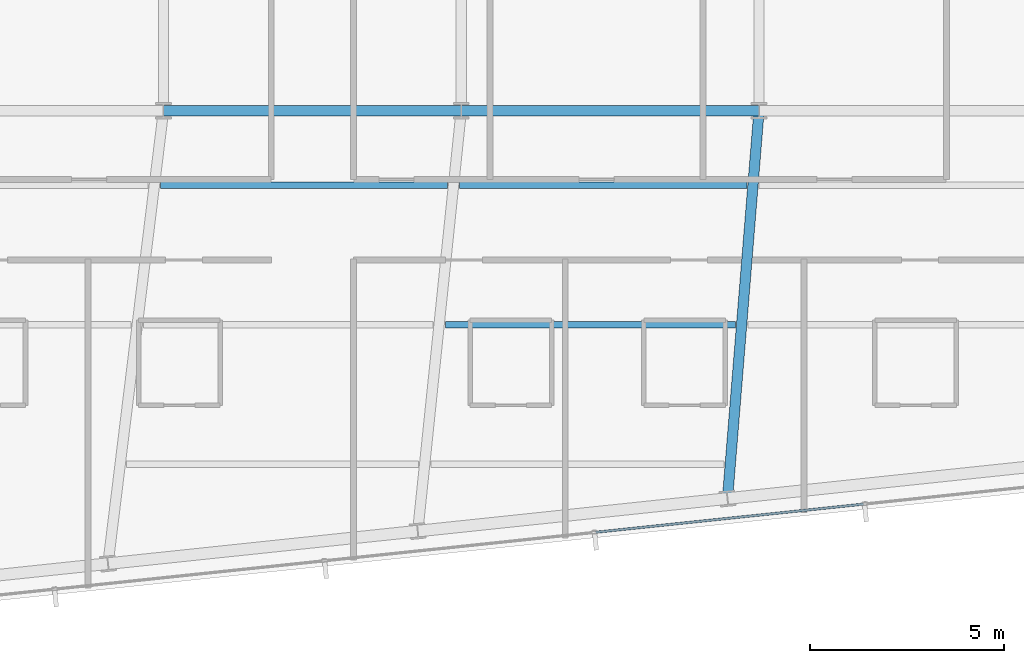
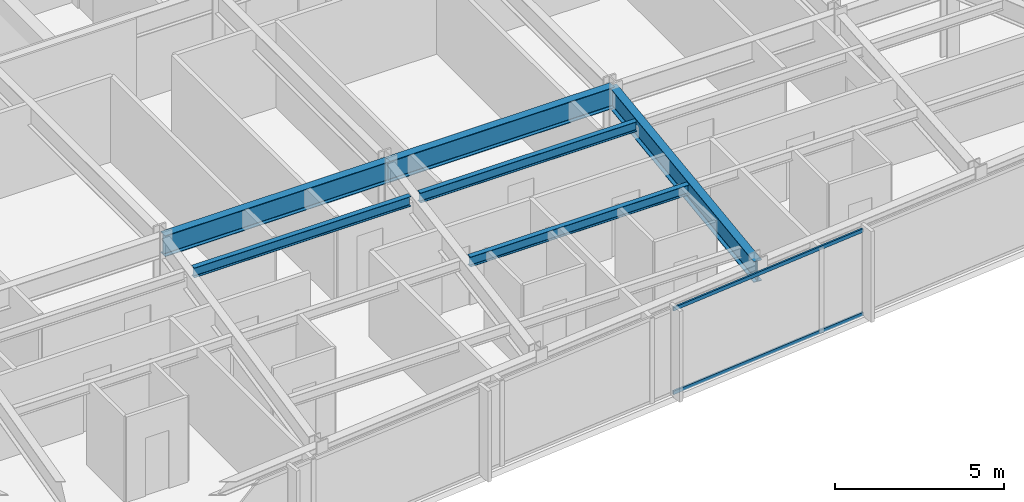
# One storey, part 9 of 33: 6 beams, 2 members, 1 element without a shape of its own.
"""IFC4 building model written with IfcOpenShell, lengths in metres."""

from ifc_helpers import new_model, si_unit, direction, frame, origin, origin_2d, place, context, subcontext, project, spatial, hollow_rectangle, i_section, extrude, material, material_profile, profile_set, type_object, element, aggregate, save


model = new_model("IFC4")

# Units and contexts
model_context = context("Model", 3, precision=1e-05, world=origin(), true_north=direction((0.0, 1.0)))
body_context = subcontext(model_context, "Body", "Model", "MODEL_VIEW")
ifc_project = project(units=[si_unit("LENGTHUNIT", "METRE"), si_unit("AREAUNIT", "SQUARE_METRE"), si_unit("VOLUMEUNIT", "CUBIC_METRE"), si_unit("PLANEANGLEUNIT", "RADIAN"), si_unit("MASSUNIT", "GRAM", prefix="KILO")], contexts=[model_context])

# Site, building, storey
site_placement = place(None, origin())
site = spatial("IfcSite", under=ifc_project, at=site_placement, CompositionType="ELEMENT")
building_placement = place(site_placement, origin())
building = spatial("IfcBuilding", under=site, at=building_placement, Name="Yelkora Congress Tower", CompositionType="ELEMENT")
storey_placement = place(building_placement, frame((0.0, 0.0, 227.60009765625)))
storey = spatial("IfcBuildingStorey", under=building, at=storey_placement, Name="L63", CompositionType="ELEMENT", Elevation=227.60009765625)

# Beams
ifc_material_1 = material(Name="Steel S355J2", Category="steel")
ifc_material_profile_1 = material_profile(ifc_material_1, i_section(OverallWidth=0.26708984375, OverallDepth=0.761962890625, WebThickness=0.014404296875, FlangeThickness=0.021484375, FilletRadius=0.01708984375, at=origin_2d()), Name="IPE 750x173")
ifc_profile_set_1 = profile_set([ifc_material_profile_1], Name="Steel S355J2")
beam_type_1 = type_object("IfcBeamType", Name="BM-GIRD-IPE750", PredefinedType="BEAM", material=ifc_profile_set_1)
beam_1_placement = place(storey_placement, frame((30.719970703125, 25.199951171875, 2.698974609375), z_axis=(1.0, 0.0, 0.0), x_axis=(0.0, 1.0, 0.0)))
element("IfcBeam", 1, at=beam_1_placement, inside=storey, type_object=beam_type_1, Name="L63 Spine Grid D Girder 3", PredefinedType="BEAM", context=body_context, shape_type="SweptSolid", body=[
    extrude(i_section(OverallWidth=0.26708984375, OverallDepth=0.761962890625, WebThickness=0.014404296875, FlangeThickness=0.021484375, FilletRadius=0.01708984375, at=origin_2d()), origin(), (0.0, 0.0, 1.0), 7.679931640625),
])
beam_2_placement = place(storey_placement, frame((38.39990234375, 25.199951171875, 2.698974609375), z_axis=(1.0, 0.0, 0.0), x_axis=(0.0, 1.0, 0.0)))
element("IfcBeam", 2, at=beam_2_placement, inside=storey, type_object=beam_type_1, Name="L63 Spine Grid D Girder 4", PredefinedType="BEAM", context=body_context, shape_type="SweptSolid", body=[
    extrude(i_section(OverallWidth=0.26708984375, OverallDepth=0.761962890625, WebThickness=0.014404296875, FlangeThickness=0.021484375, FilletRadius=0.01708984375, at=origin_2d()), origin(), (0.0, 0.0, 1.0), 7.68017578125),
])
beam_3_placement = place(storey_placement, frame((45.26708984375, 15.197509765625, 2.698974609375), z_axis=(0.081011831965, 0.996713139816, 0.0), x_axis=(-0.996713139816, 0.081011831965, 0.0)))
element("IfcBeam", 3, at=beam_3_placement, inside=storey, type_object=beam_type_1, Name="L63 Primary Frame Girder S04", PredefinedType="BEAM", context=body_context, shape_type="SweptSolid", body=[
    extrude(i_section(OverallWidth=0.26708984375, OverallDepth=0.761962890625, WebThickness=0.014404296875, FlangeThickness=0.021484375, FilletRadius=0.01708984375, at=origin_2d()), origin(), (0.0, 0.0, 1.0), 10.035400390625),
])
ifc_material_profile_2 = material_profile(ifc_material_1, i_section(OverallWidth=0.169921875, OverallDepth=0.360107421875, WebThickness=0.008056640625, FlangeThickness=0.0126953125, FilletRadius=0.01806640625, at=origin_2d()), Name="IPE 360")
ifc_profile_set_2 = profile_set([ifc_material_profile_2], Name="Steel S355J2")
beam_type_2 = type_object("IfcBeamType", Name="BM-JOIST-IPE360", PredefinedType="JOIST", material=ifc_profile_set_2)
beam_4_placement = place(storey_placement, frame((37.988525390625, 19.678466796875, 2.89990234375), z_axis=(1.0, 0.0, 0.0), x_axis=(0.0, 1.0, 0.0)))
element("IfcBeam", 4, at=beam_4_placement, inside=storey, type_object=beam_type_2, Name="L63 Composite Floor Joist 5", PredefinedType="JOIST", context=body_context, shape_type="SweptSolid", body=[
    extrude(i_section(OverallWidth=0.169921875, OverallDepth=0.360107421875, WebThickness=0.008056640625, FlangeThickness=0.0126953125, FilletRadius=0.01806640625, at=origin_2d()), origin(), (0.0, 0.0, 1.0), 7.482666015625),
])
beam_5_placement = place(storey_placement, frame((30.64453125, 23.278564453125, 2.89990234375), z_axis=(1.0, 0.0, 0.0), x_axis=(0.0, 1.0, 0.0)))
element("IfcBeam", 5, at=beam_5_placement, inside=storey, type_object=beam_type_2, Name="L63 Composite Floor Joist 10", PredefinedType="JOIST", context=body_context, shape_type="SweptSolid", body=[
    extrude(i_section(OverallWidth=0.169921875, OverallDepth=0.360107421875, WebThickness=0.008056640625, FlangeThickness=0.0126953125, FilletRadius=0.01806640625, at=origin_2d()), origin(), (0.0, 0.0, 1.0), 7.396484375),
])
beam_6_placement = place(storey_placement, frame((38.361083984375, 23.278564453125, 2.89990234375), z_axis=(1.0, 0.0, 0.0), x_axis=(0.0, 1.0, 0.0)))
element("IfcBeam", 6, at=beam_6_placement, inside=storey, type_object=beam_type_2, Name="L63 Composite Floor Joist 11", PredefinedType="JOIST", context=body_context, shape_type="SweptSolid", body=[
    extrude(i_section(OverallWidth=0.169921875, OverallDepth=0.360107421875, WebThickness=0.008056640625, FlangeThickness=0.0126953125, FilletRadius=0.01806640625, at=origin_2d()), origin(), (0.0, 0.0, 1.0), 7.40283203125),
])

# Curtain wall, members
ifc_material_2 = material(Name="Anodised aluminium and insulated glass", Category="aluminium")
curtain_wall_type = type_object("IfcCurtainWallType", Name="CW-SYS-B4", PredefinedType="NOTDEFINED", material=ifc_material_2)
curtain_wall_placement = place(storey_placement, origin())
curtain_wall = element("IfcCurtainWall", 7, at=curtain_wall_placement, inside=storey, type_object=curtain_wall_type, Name="L63 Unitised Curtain Wall 20", PredefinedType="NOTDEFINED")
ifc_material_3 = material(Name="Anodised aluminium 6063-T6", Category="aluminium")
ifc_material_profile_3 = material_profile(ifc_material_3, hollow_rectangle(XDim=0.06005859375, YDim=0.1298828125, WallThickness=0.00390625, at=origin_2d()), Name="ALU 60x130x4")
ifc_profile_set_3 = profile_set([ifc_material_profile_3], Name="Anodised aluminium 6063-T6")
member_type = type_object("IfcMemberType", Name="MEM-TR-B4", PredefinedType="USERDEFINED", material=ifc_profile_set_3)
member_1_placement = place(storey_placement, frame((48.770263671875, 15.052978515625, 0.02978515625), z_axis=(-0.99452356298, -0.104512595784, 0.0), x_axis=(0.104512595784, -0.99452356298, 0.0)))
member_1 = element("IfcMember", 8, at=member_1_placement, type_object=member_type, Name="CW-B4 transom 4.1", ObjectType="TRANSOM", PredefinedType="USERDEFINED", context=body_context, shape_type="SweptSolid", body=[
    extrude(hollow_rectangle(XDim=0.06005859375, YDim=0.1298828125, WallThickness=0.00390625, at=origin_2d()), origin(), (0.0, 0.0, 1.0), 6.93798828125),
])
member_2_placement = place(storey_placement, frame((48.770263671875, 15.052978515625, 3.0498046875), z_axis=(-0.99452356298, -0.104512595784, 0.0), x_axis=(0.104512595784, -0.99452356298, 0.0)))
member_2 = element("IfcMember", 9, at=member_2_placement, type_object=member_type, Name="CW-B4 transom 4.2", ObjectType="TRANSOM", PredefinedType="USERDEFINED", context=body_context, shape_type="SweptSolid", body=[
    extrude(hollow_rectangle(XDim=0.06005859375, YDim=0.1298828125, WallThickness=0.00390625, at=origin_2d()), origin(), (0.0, 0.0, 1.0), 6.93798828125),
])
aggregate(curtain_wall, [member_1, member_2])

save(model, "model.ifc")
